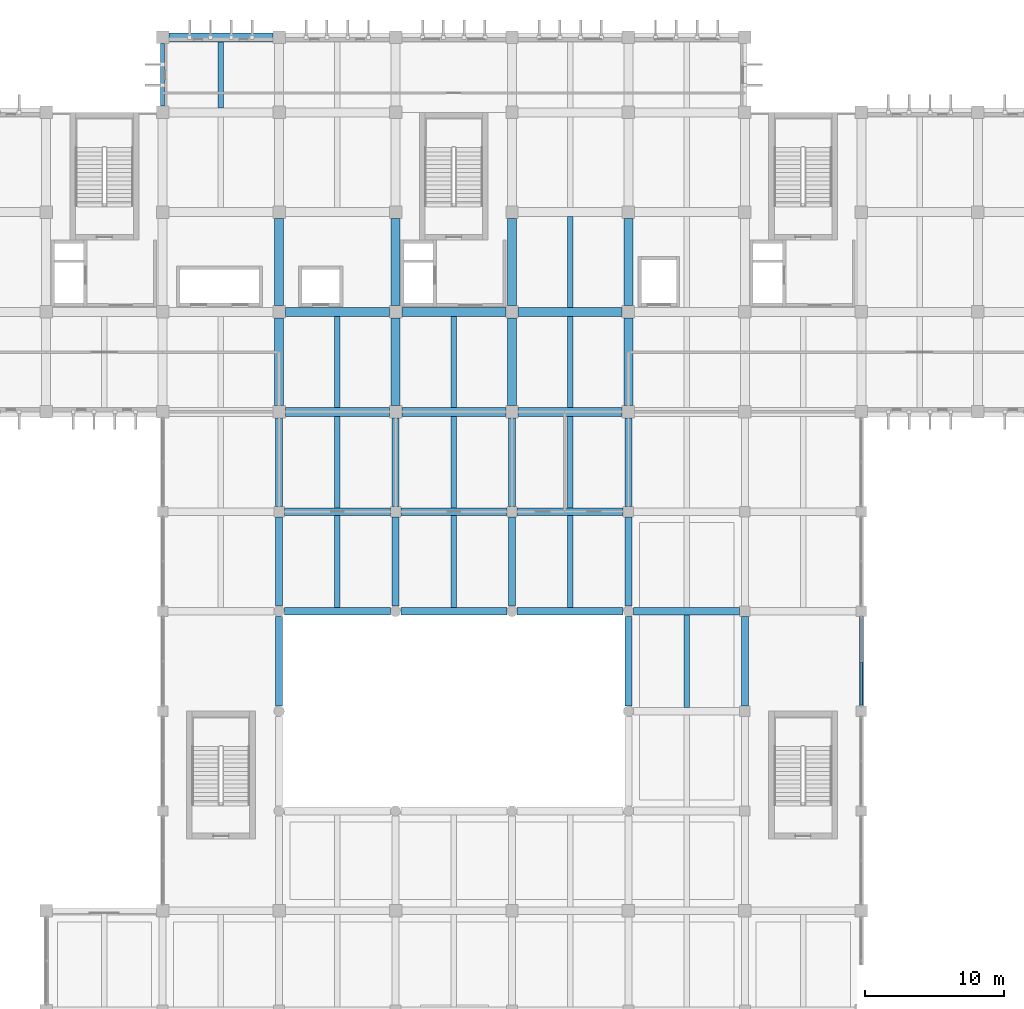
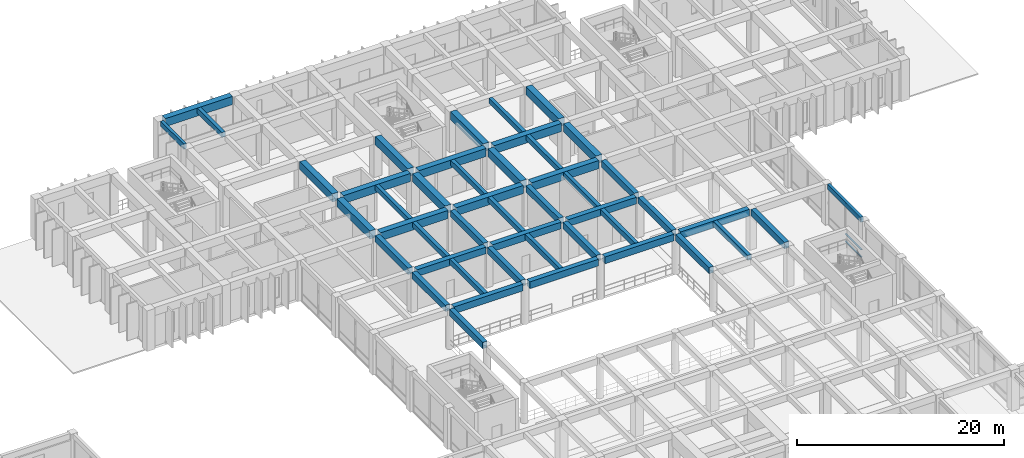
# One storey, part 22 of 52: 47 beams, 3 members, 1 element without a shape of its own.
"""IFC4 building model written with IfcOpenShell, lengths in metres."""

import ifcopenshell
import ifcopenshell.guid

model = None  # the IFC model being written
_history = None  # IfcOwnerHistory: only IFC2X3 demands one
_inside = {}  # id of a spatial element -> (the spatial element, [elements in it])
_under = {}  # id of a project, library or spatial element -> (it, [spatial elements below it])
_declared = {}  # id of a project -> (the project, [libraries it declares])
_typed = {}  # id of a type object -> (the type object, [elements of that type])
_made_of = {}  # id of a material, layer set ... -> (it, [elements and type objects made of it])


def new_model(schema):
    """Start an empty IFC model of exactly this schema.

    Asked for "IFC4X3", IfcOpenShell would pick the latest addendum, in which some entities
    have other attributes; the version numbers below select the first issue.
    IFC2X3 requires an IfcOwnerHistory on every rooted entity: one is made here for all.
    """
    global model, _history
    if schema == "IFC4X3":
        model = ifcopenshell.file(schema_version=(4, 3, 0, 0))
    else:
        model = ifcopenshell.file(schema=schema)
    _inside.clear()
    _under.clear()
    _declared.clear()
    _typed.clear()
    _made_of.clear()
    _history = None
    if model.schema == "IFC2X3":
        org = make("IfcOrganization", Name="unknown")
        user = make(
            "IfcPersonAndOrganization",
            ThePerson=make("IfcPerson", FamilyName="unknown"),
            TheOrganization=org,
        )
        app = make(
            "IfcApplication",
            ApplicationDeveloper=org,
            Version="unknown",
            ApplicationFullName="unknown",
            ApplicationIdentifier="unknown",
        )
        _history = make(
            "IfcOwnerHistory",
            OwningUser=user,
            OwningApplication=app,
            ChangeAction="ADDED",
            CreationDate=0,
        )
    return model


def make(cls, **values):
    """One entity of the class cls with the attributes given. An attribute that is None is left unset."""
    return model.create_entity(
        cls, **{name: value for name, value in values.items() if value is not None}
    )


def rooted(cls, **values):
    """An entity with a GlobalId (a new one), such as an element, a storey or a relation."""
    return make(cls, GlobalId=ifcopenshell.guid.new(), OwnerHistory=_history, **values)


def si_unit(unit_type, name, prefix=None):
    """IfcSIUnit, for example si_unit("LENGTHUNIT", "METRE", prefix="MILLI")."""
    return make("IfcSIUnit", UnitType=unit_type, Prefix=prefix, Name=name)


def assignment(units):
    """IfcUnitAssignment: the units of a project."""
    return None if units is None else make("IfcUnitAssignment", Units=units)


def point(xyz):
    """IfcCartesianPoint."""
    return None if xyz is None else make("IfcCartesianPoint", Coordinates=xyz)


def direction(xyz):
    """IfcDirection."""
    return None if xyz is None else make("IfcDirection", DirectionRatios=xyz)


def frame(location, z_axis=None, x_axis=None):
    """IfcAxis2Placement3D, a coordinate frame: its origin and axes. An axis left out is left unset."""
    return make(
        "IfcAxis2Placement3D",
        Location=point(location),
        Axis=direction(z_axis),
        RefDirection=direction(x_axis),
    )


def frame_2d(location, x_axis=None):
    """IfcAxis2Placement2D, a coordinate frame in the plane: its origin and x axis."""
    return make(
        "IfcAxis2Placement2D", Location=point(location), RefDirection=direction(x_axis)
    )


def origin():
    """The frame at (0, 0, 0) with its axes left unset."""
    return frame((0.0, 0.0, 0.0))


def origin_2d():
    """The frame at (0, 0) in the plane with its x axis left unset."""
    return frame_2d((0.0, 0.0))


def place(relative_to, where):
    """IfcLocalPlacement: puts the frame where relative to a parent placement (None: the world)."""
    return make(
        "IfcLocalPlacement", PlacementRelTo=relative_to, RelativePlacement=where
    )


def context(
    kind, dimensions, precision=None, world=None, true_north=None, identifier=None
):
    """IfcGeometricRepresentationContext, for example the 3D "Model" context."""
    return make(
        "IfcGeometricRepresentationContext",
        ContextIdentifier=identifier,
        ContextType=kind,
        CoordinateSpaceDimension=dimensions,
        Precision=precision,
        WorldCoordinateSystem=world,
        TrueNorth=true_north,
    )


def subcontext(parent, identifier, kind, view, scale=None):
    """IfcGeometricRepresentationSubContext, for example "Body" below "Model"."""
    return make(
        "IfcGeometricRepresentationSubContext",
        ContextIdentifier=identifier,
        ContextType=kind,
        ParentContext=parent,
        TargetScale=scale,
        TargetView=view,
    )


def project(units=None, contexts=None):
    """IfcProject with its units and contexts."""
    return rooted(
        "IfcProject",
        Name="project",
        RepresentationContexts=contexts,
        UnitsInContext=assignment(units),
    )


def spatial(cls, under=None, at=None, **own):
    """A site, building, storey or space (cls), placed at a placement, below another one or the project."""
    s = rooted(cls, ObjectPlacement=at, **own)
    if under is not None:
        _under.setdefault(under.id(), (under, []))[1].append(s)
    return s


def profile(cls, at=None, kind="AREA", **sizes):
    """A parametric profile (cls). Its sizes go by their IFC names, for example OverallWidth=200.0."""
    return make(cls, ProfileType=kind, Position=at, **sizes)


def rectangle(**sizes):
    """IfcRectangleProfileDef."""
    return profile("IfcRectangleProfileDef", **sizes)


def extrude(swept, where, along, depth):
    """IfcExtrudedAreaSolid: the profile swept, set in the frame where, extruded along a direction by depth."""
    return make(
        "IfcExtrudedAreaSolid",
        SweptArea=swept,
        Position=where,
        ExtrudedDirection=direction(along),
        Depth=depth,
    )


def shape(context_of_items, identifier, shape_type, items):
    """IfcShapeRepresentation: the items that make up one representation, for example the "Body"."""
    return make(
        "IfcShapeRepresentation",
        ContextOfItems=context_of_items,
        RepresentationIdentifier=identifier,
        RepresentationType=shape_type,
        Items=items,
    )


def material(Name=None, Category=None):
    """IfcMaterial."""
    return make("IfcMaterial", Name=Name, Category=Category)


def material_profile(
    of_material, cross_section, Name=None, Category=None, Priority=None
):
    """IfcMaterialProfile: a cross section and its material."""
    return make(
        "IfcMaterialProfile",
        Name=Name,
        Material=of_material,
        Profile=cross_section,
        Priority=Priority,
        Category=Category,
    )


def profile_set(profiles, Name=None, composite=None):
    """IfcMaterialProfileSet."""
    return make(
        "IfcMaterialProfileSet",
        Name=Name,
        MaterialProfiles=profiles,
        CompositeProfile=composite,
    )


def made_of(thing, what):
    """Note that an element or type object is made of a material, layer set ...; save() writes the relation."""
    if what is not None:
        _made_of.setdefault(what.id(), (what, []))[1].append(thing)
    return thing


def type_object(cls, material=None, **own):
    """A type object (cls), such as IfcWallType, which elements share."""
    return made_of(rooted(cls, **own), material)


def element(
    cls,
    number,
    at=None,
    inside=None,
    cuts=None,
    type_object=None,
    material=None,
    context=None,
    identifier="Body",
    shape_type=None,
    held_by="IfcProductDefinitionShape",
    body=None,
    shapes=None,
    **own,
):
    """One element of the class cls, such as IfcWall. Its Tag is "e" and its number.

    at: its placement. inside: the storey or other place that contains it. cuts: it is an
    opening in that element (IfcRelVoidsElement). A single representation is given by context,
    identifier, shape_type and body (its items); several are given by shapes. held_by: the class
    of the entity that holds the representations. save() writes the other relations.
    """
    e = rooted(cls, Tag="e%d" % number, ObjectPlacement=at, **own)
    if body is not None:
        shapes = [shape(context, identifier, shape_type, body)]
    if shapes is not None:
        e.Representation = make(held_by, Representations=shapes)
    if inside is not None:
        _inside.setdefault(inside.id(), (inside, []))[1].append(e)
    if cuts is not None:
        rooted(
            "IfcRelVoidsElement", RelatingBuildingElement=cuts, RelatedOpeningElement=e
        )
    if type_object is not None:
        _typed.setdefault(type_object.id(), (type_object, []))[1].append(e)
    return made_of(e, material)


def aggregate(whole, parts):
    """IfcRelAggregates: a whole, such as a stair, and the parts it consists of."""
    return rooted("IfcRelAggregates", RelatingObject=whole, RelatedObjects=parts)


def save(model, path):
    """Write the relations noted so far, then the file.

    IfcRelAggregates (storeys below a building ...), IfcRelContainedInSpatialStructure (elements
    in a storey), IfcRelDefinesByType, IfcRelAssociatesMaterial and IfcRelDeclares: one each for
    every whole, place, type object, material and project.
    """
    for whole, parts in _under.values():
        aggregate(whole, parts)
    for where, things in _inside.values():
        rooted(
            "IfcRelContainedInSpatialStructure",
            RelatedElements=things,
            RelatingStructure=where,
        )
    for kind, things in _typed.values():
        rooted("IfcRelDefinesByType", RelatedObjects=things, RelatingType=kind)
    for what, things in _made_of.values():
        rooted("IfcRelAssociatesMaterial", RelatedObjects=things, RelatingMaterial=what)
    for by, libraries in _declared.values():
        rooted("IfcRelDeclares", RelatingContext=by, RelatedDefinitions=libraries)
    model.write(path)


model = new_model("IFC4")

# Units and contexts
model_context = context("Model", 3, precision=1e-05, world=origin(), true_north=direction((0.0, 1.0)))
body_context = subcontext(model_context, "Body", "Model", "MODEL_VIEW")
ifc_project = project(units=[si_unit("LENGTHUNIT", "METRE"), si_unit("AREAUNIT", "SQUARE_METRE"), si_unit("VOLUMEUNIT", "CUBIC_METRE"), si_unit("PLANEANGLEUNIT", "RADIAN"), si_unit("MASSUNIT", "GRAM", prefix="KILO")], contexts=[model_context])

# Site, building, storey
site_placement = place(None, origin())
site = spatial("IfcSite", under=ifc_project, at=site_placement, CompositionType="ELEMENT")
building_placement = place(site_placement, origin())
building = spatial("IfcBuilding", under=site, at=building_placement, Name="Kenerak Square Central Library", CompositionType="ELEMENT")
storey_placement = place(building_placement, frame((0.0, 0.0, 4.800048828125)))
storey = spatial("IfcBuildingStorey", under=building, at=storey_placement, Name="L01", CompositionType="ELEMENT", Elevation=4.800048828125)

# Beams
ifc_material_1 = material(Name="Concrete C45/55", Category="concrete")
ifc_material_profile_1 = material_profile(ifc_material_1, rectangle(XDim=0.64990234375, YDim=0.949951171875, at=origin_2d()), Name="RC 650x950")
ifc_profile_set_1 = profile_set([ifc_material_profile_1], Name="Concrete C45/55")
beam_type_1 = type_object("IfcBeamType", Name="Book Stack Girder B-02 RC 650x950 C45/55", PredefinedType="BEAM", material=ifc_profile_set_1)
for number, where, z_axis, x_axis, name in (
    (1, (75.64990234375, 88.800048828125, 4.324951171875), (1.0, 0.0, 0.0), (0.0, 1.0, 0.0), "Beam B-02 L01 0946"),
    (2, (84.050048828125, 88.800048828125, 4.324951171875), (1.0, 0.0, 0.0), (0.0, 1.0, 0.0), "Beam B-02 L01 0947"),
    (3, (92.449951171875, 88.800048828125, 4.324951171875), (1.0, 0.0, 0.0), (0.0, 1.0, 0.0), "Beam B-02 L01 0948"),
    (4, (75.64990234375, 96.0, 4.324951171875), (1.0, 0.0, 0.0), (0.0, 1.0, 0.0), "Beam B-02 L01 0956"),
    (5, (84.050048828125, 96.0, 4.324951171875), (1.0, 0.0, 0.0), (0.0, 1.0, 0.0), "Beam B-02 L01 0957"),
    (6, (92.449951171875, 96.0, 4.324951171875), (1.0, 0.0, 0.0), (0.0, 1.0, 0.0), "Beam B-02 L01 0958"),
    (7, (67.25, 115.800048828125, 4.324951171875), (1.0, 0.0, 0.0), (0.0, 1.0, 0.0), "Beam B-02 L01 0977"),
):
    element("IfcBeam", number, at=place(storey_placement, frame(where, z_axis=z_axis, x_axis=x_axis)), inside=storey, type_object=beam_type_1, Name=name, PredefinedType="BEAM", context=body_context, shape_type="SweptSolid", body=[
        extrude(rectangle(XDim=0.64990234375, YDim=0.949951171875, at=origin_2d()), origin(), (0.0, 0.0, 1.0), 7.5),
    ])
for number, where, z_axis, x_axis, name in (
    (8, (75.199951171875, 89.25, 4.324951171875), (0.0, 1.0, 0.0), (-1.0, 0.0, 0.0), "Beam B-02 L01 1028"),
    (9, (75.199951171875, 96.449951171875, 4.324951171875), (0.0, 1.0, 0.0), (-1.0, 0.0, 0.0), "Beam B-02 L01 1029"),
    (10, (83.60009765625, 89.25, 4.324951171875), (0.0, 1.0, 0.0), (-1.0, 0.0, 0.0), "Beam B-02 L01 1037"),
    (11, (83.60009765625, 96.449951171875, 4.324951171875), (0.0, 1.0, 0.0), (-1.0, 0.0, 0.0), "Beam B-02 L01 1038"),
    (12, (92.0, 89.25, 4.324951171875), (0.0, 1.0, 0.0), (-1.0, 0.0, 0.0), "Beam B-02 L01 1046"),
    (13, (92.0, 96.449951171875, 4.324951171875), (0.0, 1.0, 0.0), (-1.0, 0.0, 0.0), "Beam B-02 L01 1047"),
    (14, (100.39990234375, 89.25, 4.324951171875), (0.0, 1.0, 0.0), (-1.0, 0.0, 0.0), "Beam B-02 L01 1057"),
    (15, (100.39990234375, 96.449951171875, 4.324951171875), (0.0, 1.0, 0.0), (-1.0, 0.0, 0.0), "Beam B-02 L01 1058"),
):
    element("IfcBeam", number, at=place(storey_placement, frame(where, z_axis=z_axis, x_axis=x_axis)), inside=storey, type_object=beam_type_1, Name=name, PredefinedType="BEAM", context=body_context, shape_type="SweptSolid", body=[
        extrude(rectangle(XDim=0.64990234375, YDim=0.949951171875, at=origin_2d()), origin(), (0.0, 0.0, 1.0), 6.300048828125),
    ])
ifc_material_2 = material(Name="Concrete C40/50", Category="concrete")
ifc_material_profile_2 = material_profile(ifc_material_2, rectangle(XDim=0.300048828125, YDim=0.60009765625, at=origin_2d()), Name="RC 300x600")
ifc_profile_set_2 = profile_set([ifc_material_profile_2], Name="Concrete C40/50")
beam_type_2 = type_object("IfcBeamType", Name="Courtyard Spandrel Beam SP-02 RC 300x600 C40/50", PredefinedType="SPANDREL", material=ifc_profile_set_2)
beam_1_placement = place(storey_placement, frame((66.800048828125, 110.85009765625, 4.5), z_axis=(0.0, 1.0, 0.0), x_axis=(-1.0, 0.0, 0.0)))
element("IfcBeam", 16, at=beam_1_placement, inside=storey, type_object=beam_type_2, Name="Beam SP-02 L01 1020", PredefinedType="SPANDREL", context=body_context, shape_type="SweptSolid", body=[
    extrude(rectangle(XDim=0.300048828125, YDim=0.60009765625, at=origin_2d()), origin(), (0.0, 0.0, 1.0), 4.5),
])
beam_2_placement = place(storey_placement, frame((117.199951171875, 67.574951171875, 4.5), z_axis=(0.0, 1.0, 0.0), x_axis=(-1.0, 0.0, 0.0)))
element("IfcBeam", 17, at=beam_2_placement, inside=storey, type_object=beam_type_2, Name="Beam SP-02 L01 1076", PredefinedType="SPANDREL", context=body_context, shape_type="SweptSolid", body=[
    extrude(rectangle(XDim=0.300048828125, YDim=0.60009765625, at=origin_2d()), origin(), (0.0, 0.0, 1.0), 6.449951171875),
])

# Curtain wall, members
ifc_material_3 = material(Name="Anodised aluminium and solar-control low-E glazing", Category="aluminium")
curtain_wall_type = type_object("IfcCurtainWallType", Name="Curtain Wall CW-V4-64x45 6450x4500", PredefinedType="USERDEFINED", material=ifc_material_3)
curtain_wall_placement = place(storey_placement, origin())
curtain_wall = element("IfcCurtainWall", 18, at=curtain_wall_placement, inside=storey, type_object=curtain_wall_type, Name="Curtain Wall CW-V4-64x45 L01 0030", ObjectType="CURTAIN WALL", PredefinedType="USERDEFINED")
ifc_material_4 = material(Name="Anodised aluminium 6063-T6", Category="aluminium")
ifc_material_profile_3 = material_profile(ifc_material_4, rectangle(XDim=0.159912109375, YDim=0.06494140625, at=origin_2d()), Name="AL TRANSOM 160x65")
ifc_profile_set_3 = profile_set([ifc_material_profile_3], Name="Anodised aluminium 6063-T6")
member_type = type_object("IfcMemberType", Name="Curtain Transom CT-11 160x65", PredefinedType="USERDEFINED", material=ifc_profile_set_3)
member_1_placement = place(storey_placement, frame((117.199951171875, 70.767578125, 0.032470703125), z_axis=(0.0, -1.0, 0.0), x_axis=(1.0, 0.0, 0.0)))
member_1 = element("IfcMember", 19, at=member_1_placement, type_object=member_type, Name="CW-V4-64x45 Transom 2.1", ObjectType="TRANSOM", PredefinedType="USERDEFINED", context=body_context, shape_type="SweptSolid", body=[
    extrude(rectangle(XDim=0.159912109375, YDim=0.06494140625, at=origin_2d()), origin(), (0.0, 0.0, 1.0), 3.127685546875),
])
member_2_placement = place(storey_placement, frame((117.199951171875, 70.767578125, 0.89990234375), z_axis=(0.0, -1.0, 0.0), x_axis=(1.0, 0.0, 0.0)))
member_2 = element("IfcMember", 20, at=member_2_placement, type_object=member_type, Name="CW-V4-64x45 Transom 2.2", ObjectType="TRANSOM", PredefinedType="USERDEFINED", context=body_context, shape_type="SweptSolid", body=[
    extrude(rectangle(XDim=0.159912109375, YDim=0.06494140625, at=origin_2d()), origin(), (0.0, 0.0, 1.0), 3.127685546875),
])
member_3_placement = place(storey_placement, frame((117.199951171875, 70.767578125, 4.467529296875), z_axis=(0.0, -1.0, 0.0), x_axis=(1.0, 0.0, 0.0)))
member_3 = element("IfcMember", 21, at=member_3_placement, type_object=member_type, Name="CW-V4-64x45 Transom 2.3", ObjectType="TRANSOM", PredefinedType="USERDEFINED", context=body_context, shape_type="SweptSolid", body=[
    extrude(rectangle(XDim=0.159912109375, YDim=0.06494140625, at=origin_2d()), origin(), (0.0, 0.0, 1.0), 3.127685546875),
])
aggregate(curtain_wall, [member_1, member_2, member_3])

# Beams
ifc_material_profile_4 = material_profile(ifc_material_2, rectangle(XDim=0.550048828125, YDim=0.800048828125, at=origin_2d()), Name="RC 550x800")
ifc_profile_set_4 = profile_set([ifc_material_profile_4], Name="Concrete C40/50")
beam_type_3 = type_object("IfcBeamType", Name="Primary Reading Beam B-04 RC 550x800 C40/50", PredefinedType="BEAM", material=ifc_profile_set_4)
beam_3_placement = place(storey_placement, frame((75.574951171875, 74.39990234375, 4.39990234375), z_axis=(1.0, 0.0, 0.0), x_axis=(0.0, 1.0, 0.0)))
element("IfcBeam", 22, at=beam_3_placement, inside=storey, type_object=beam_type_3, Name="Beam B-04 L01 0932", PredefinedType="BEAM", context=body_context, shape_type="SweptSolid", body=[
    extrude(rectangle(XDim=0.550048828125, YDim=0.800048828125, at=origin_2d()), origin(), (0.0, 0.0, 1.0), 7.650146484375),
])
for number, where, z_axis, x_axis, name in (
    (23, (83.97509765625, 74.39990234375, 4.39990234375), (1.0, 0.0, 0.0), (0.0, 1.0, 0.0), "Beam B-04 L01 0933"),
    (24, (92.375, 74.39990234375, 4.39990234375), (1.0, 0.0, 0.0), (0.0, 1.0, 0.0), "Beam B-04 L01 0934"),
):
    element("IfcBeam", number, at=place(storey_placement, frame(where, z_axis=z_axis, x_axis=x_axis)), inside=storey, type_object=beam_type_3, Name=name, PredefinedType="BEAM", context=body_context, shape_type="SweptSolid", body=[
        extrude(rectangle(XDim=0.550048828125, YDim=0.800048828125, at=origin_2d()), origin(), (0.0, 0.0, 1.0), 7.64990234375),
    ])
for number, where, z_axis, x_axis, name in (
    (25, (100.77490234375, 74.39990234375, 4.39990234375), (1.0, 0.0, 0.0), (0.0, 1.0, 0.0), "Beam B-04 L01 0935"),
    (26, (75.574951171875, 81.60009765625, 4.39990234375), (1.0, 0.0, 0.0), (0.0, 1.0, 0.0), "Beam B-04 L01 0938"),
):
    element("IfcBeam", number, at=place(storey_placement, frame(where, z_axis=z_axis, x_axis=x_axis)), inside=storey, type_object=beam_type_3, Name=name, PredefinedType="BEAM", context=body_context, shape_type="SweptSolid", body=[
        extrude(rectangle(XDim=0.550048828125, YDim=0.800048828125, at=origin_2d()), origin(), (0.0, 0.0, 1.0), 7.650146484375),
    ])
for number, where, z_axis, x_axis, name in (
    (27, (83.97509765625, 81.60009765625, 4.39990234375), (1.0, 0.0, 0.0), (0.0, 1.0, 0.0), "Beam B-04 L01 0939"),
    (28, (92.375, 81.60009765625, 4.39990234375), (1.0, 0.0, 0.0), (0.0, 1.0, 0.0), "Beam B-04 L01 0940"),
):
    element("IfcBeam", number, at=place(storey_placement, frame(where, z_axis=z_axis, x_axis=x_axis)), inside=storey, type_object=beam_type_3, Name=name, PredefinedType="BEAM", context=body_context, shape_type="SweptSolid", body=[
        extrude(rectangle(XDim=0.550048828125, YDim=0.800048828125, at=origin_2d()), origin(), (0.0, 0.0, 1.0), 7.64990234375),
    ])
ifc_material_profile_5 = material_profile(ifc_material_2, rectangle(XDim=0.39990234375, YDim=0.60009765625, at=origin_2d()), Name="RC 400x600")
ifc_profile_set_5 = profile_set([ifc_material_profile_5], Name="Concrete C40/50")
beam_type_4 = type_object("IfcBeamType", Name="Secondary Floor Joist J-01 RC 400x600 C40/50", PredefinedType="JOIST", material=ifc_profile_set_5)
beam_4_placement = place(storey_placement, frame((71.0, 110.72509765625, 4.5), z_axis=(0.0, 1.0, 0.0), x_axis=(-1.0, 0.0, 0.0)))
element("IfcBeam", 29, at=beam_4_placement, inside=storey, type_object=beam_type_4, Name="Joist J-01 L01 1121", PredefinedType="JOIST", context=body_context, shape_type="SweptSolid", body=[
    extrude(rectangle(XDim=0.39990234375, YDim=0.60009765625, at=origin_2d()), origin(), (0.0, 0.0, 1.0), 4.75),
])
beam_5_placement = place(storey_placement, frame((79.39990234375, 74.675048828125, 4.5), z_axis=(0.0, 1.0, 0.0), x_axis=(-1.0, 0.0, 0.0)))
element("IfcBeam", 30, at=beam_5_placement, inside=storey, type_object=beam_type_4, Name="Joist J-01 L01 1128", PredefinedType="JOIST", context=body_context, shape_type="SweptSolid", body=[
    extrude(rectangle(XDim=0.39990234375, YDim=0.60009765625, at=origin_2d()), origin(), (0.0, 0.0, 1.0), 6.64990234375),
])
beam_6_placement = place(storey_placement, frame((79.39990234375, 81.875, 4.5), z_axis=(0.0, 1.0, 0.0), x_axis=(-1.0, 0.0, 0.0)))
element("IfcBeam", 31, at=beam_6_placement, inside=storey, type_object=beam_type_4, Name="Joist J-01 L01 1129", PredefinedType="JOIST", context=body_context, shape_type="SweptSolid", body=[
    extrude(rectangle(XDim=0.39990234375, YDim=0.60009765625, at=origin_2d()), origin(), (0.0, 0.0, 1.0), 6.60009765625),
])
beam_7_placement = place(storey_placement, frame((79.39990234375, 89.125, 4.5), z_axis=(0.0, 1.0, 0.0), x_axis=(-1.0, 0.0, 0.0)))
element("IfcBeam", 32, at=beam_7_placement, inside=storey, type_object=beam_type_4, Name="Joist J-01 L01 1130", PredefinedType="JOIST", context=body_context, shape_type="SweptSolid", body=[
    extrude(rectangle(XDim=0.39990234375, YDim=0.60009765625, at=origin_2d()), origin(), (0.0, 0.0, 1.0), 6.550048828125),
])
beam_8_placement = place(storey_placement, frame((87.800048828125, 74.675048828125, 4.5), z_axis=(0.0, 1.0, 0.0), x_axis=(-1.0, 0.0, 0.0)))
element("IfcBeam", 33, at=beam_8_placement, inside=storey, type_object=beam_type_4, Name="Joist J-01 L01 1139", PredefinedType="JOIST", context=body_context, shape_type="SweptSolid", body=[
    extrude(rectangle(XDim=0.39990234375, YDim=0.60009765625, at=origin_2d()), origin(), (0.0, 0.0, 1.0), 6.64990234375),
])
beam_9_placement = place(storey_placement, frame((87.800048828125, 81.875, 4.5), z_axis=(0.0, 1.0, 0.0), x_axis=(-1.0, 0.0, 0.0)))
element("IfcBeam", 34, at=beam_9_placement, inside=storey, type_object=beam_type_4, Name="Joist J-01 L01 1140", PredefinedType="JOIST", context=body_context, shape_type="SweptSolid", body=[
    extrude(rectangle(XDim=0.39990234375, YDim=0.60009765625, at=origin_2d()), origin(), (0.0, 0.0, 1.0), 6.60009765625),
])
beam_10_placement = place(storey_placement, frame((87.800048828125, 89.125, 4.5), z_axis=(0.0, 1.0, 0.0), x_axis=(-1.0, 0.0, 0.0)))
element("IfcBeam", 35, at=beam_10_placement, inside=storey, type_object=beam_type_4, Name="Joist J-01 L01 1141", PredefinedType="JOIST", context=body_context, shape_type="SweptSolid", body=[
    extrude(rectangle(XDim=0.39990234375, YDim=0.60009765625, at=origin_2d()), origin(), (0.0, 0.0, 1.0), 6.550048828125),
])
beam_11_placement = place(storey_placement, frame((96.199951171875, 74.675048828125, 4.5), z_axis=(0.0, 1.0, 0.0), x_axis=(-1.0, 0.0, 0.0)))
element("IfcBeam", 36, at=beam_11_placement, inside=storey, type_object=beam_type_4, Name="Joist J-01 L01 1148", PredefinedType="JOIST", context=body_context, shape_type="SweptSolid", body=[
    extrude(rectangle(XDim=0.39990234375, YDim=0.60009765625, at=origin_2d()), origin(), (0.0, 0.0, 1.0), 6.64990234375),
])
beam_12_placement = place(storey_placement, frame((96.199951171875, 81.875, 4.5), z_axis=(0.0, 1.0, 0.0), x_axis=(-1.0, 0.0, 0.0)))
element("IfcBeam", 37, at=beam_12_placement, inside=storey, type_object=beam_type_4, Name="Joist J-01 L01 1149", PredefinedType="JOIST", context=body_context, shape_type="SweptSolid", body=[
    extrude(rectangle(XDim=0.39990234375, YDim=0.60009765625, at=origin_2d()), origin(), (0.0, 0.0, 1.0), 6.60009765625),
])
for number, where, z_axis, x_axis, name in (
    (38, (96.199951171875, 89.125, 4.5), (0.0, 1.0, 0.0), (-1.0, 0.0, 0.0), "Joist J-01 L01 1150"),
    (39, (96.199951171875, 96.324951171875, 4.5), (0.0, 1.0, 0.0), (-1.0, 0.0, 0.0), "Joist J-01 L01 1151"),
):
    element("IfcBeam", number, at=place(storey_placement, frame(where, z_axis=z_axis, x_axis=x_axis)), inside=storey, type_object=beam_type_4, Name=name, PredefinedType="JOIST", context=body_context, shape_type="SweptSolid", body=[
        extrude(rectangle(XDim=0.39990234375, YDim=0.60009765625, at=origin_2d()), origin(), (0.0, 0.0, 1.0), 6.550048828125),
    ])
beam_13_placement = place(storey_placement, frame((104.60009765625, 67.47509765625, 4.5), z_axis=(0.0, 1.0, 0.0), x_axis=(-1.0, 0.0, 0.0)))
element("IfcBeam", 40, at=beam_13_placement, inside=storey, type_object=beam_type_4, Name="Joist J-01 L01 1161", PredefinedType="JOIST", context=body_context, shape_type="SweptSolid", body=[
    extrude(rectangle(XDim=0.39990234375, YDim=0.60009765625, at=origin_2d()), origin(), (0.0, 0.0, 1.0), 6.64990234375),
])
ifc_material_profile_6 = material_profile(ifc_material_2, rectangle(XDim=0.5, YDim=0.75, at=origin_2d()), Name="RC 500x750")
ifc_profile_set_6 = profile_set([ifc_material_profile_6], Name="Concrete C40/50")
beam_type_5 = type_object("IfcBeamType", Name="Transverse Frame Beam B-05 RC 500x750 C40/50", PredefinedType="BEAM", material=ifc_profile_set_6)
beam_14_placement = place(storey_placement, frame((75.199951171875, 67.574951171875, 4.425048828125), z_axis=(0.0, 1.0, 0.0), x_axis=(-1.0, 0.0, 0.0)))
element("IfcBeam", 41, at=beam_14_placement, inside=storey, type_object=beam_type_5, Name="Beam B-05 L01 1025", PredefinedType="BEAM", context=body_context, shape_type="SweptSolid", body=[
    extrude(rectangle(XDim=0.5, YDim=0.75, at=origin_2d()), origin(), (0.0, 0.0, 1.0), 6.449951171875),
])
beam_15_placement = place(storey_placement, frame((75.199951171875, 74.77490234375, 4.425048828125), z_axis=(0.0, 1.0, 0.0), x_axis=(-1.0, 0.0, 0.0)))
element("IfcBeam", 42, at=beam_15_placement, inside=storey, type_object=beam_type_5, Name="Beam B-05 L01 1026", PredefinedType="BEAM", context=body_context, shape_type="SweptSolid", body=[
    extrude(rectangle(XDim=0.5, YDim=0.75, at=origin_2d()), origin(), (0.0, 0.0, 1.0), 6.4501953125),
])
beam_16_placement = place(storey_placement, frame((75.199951171875, 81.97509765625, 4.425048828125), z_axis=(0.0, 1.0, 0.0), x_axis=(-1.0, 0.0, 0.0)))
element("IfcBeam", 43, at=beam_16_placement, inside=storey, type_object=beam_type_5, Name="Beam B-05 L01 1027", PredefinedType="BEAM", context=body_context, shape_type="SweptSolid", body=[
    extrude(rectangle(XDim=0.5, YDim=0.75, at=origin_2d()), origin(), (0.0, 0.0, 1.0), 6.375),
])
beam_17_placement = place(storey_placement, frame((83.60009765625, 74.77490234375, 4.425048828125), z_axis=(0.0, 1.0, 0.0), x_axis=(-1.0, 0.0, 0.0)))
element("IfcBeam", 44, at=beam_17_placement, inside=storey, type_object=beam_type_5, Name="Beam B-05 L01 1035", PredefinedType="BEAM", context=body_context, shape_type="SweptSolid", body=[
    extrude(rectangle(XDim=0.5, YDim=0.75, at=origin_2d()), origin(), (0.0, 0.0, 1.0), 6.4501953125),
])
beam_18_placement = place(storey_placement, frame((83.60009765625, 81.97509765625, 4.425048828125), z_axis=(0.0, 1.0, 0.0), x_axis=(-1.0, 0.0, 0.0)))
element("IfcBeam", 45, at=beam_18_placement, inside=storey, type_object=beam_type_5, Name="Beam B-05 L01 1036", PredefinedType="BEAM", context=body_context, shape_type="SweptSolid", body=[
    extrude(rectangle(XDim=0.5, YDim=0.75, at=origin_2d()), origin(), (0.0, 0.0, 1.0), 6.375),
])
beam_19_placement = place(storey_placement, frame((92.0, 74.77490234375, 4.425048828125), z_axis=(0.0, 1.0, 0.0), x_axis=(-1.0, 0.0, 0.0)))
element("IfcBeam", 46, at=beam_19_placement, inside=storey, type_object=beam_type_5, Name="Beam B-05 L01 1044", PredefinedType="BEAM", context=body_context, shape_type="SweptSolid", body=[
    extrude(rectangle(XDim=0.5, YDim=0.75, at=origin_2d()), origin(), (0.0, 0.0, 1.0), 6.4501953125),
])
beam_20_placement = place(storey_placement, frame((92.0, 81.97509765625, 4.425048828125), z_axis=(0.0, 1.0, 0.0), x_axis=(-1.0, 0.0, 0.0)))
element("IfcBeam", 47, at=beam_20_placement, inside=storey, type_object=beam_type_5, Name="Beam B-05 L01 1045", PredefinedType="BEAM", context=body_context, shape_type="SweptSolid", body=[
    extrude(rectangle(XDim=0.5, YDim=0.75, at=origin_2d()), origin(), (0.0, 0.0, 1.0), 6.375),
])
beam_21_placement = place(storey_placement, frame((100.39990234375, 67.574951171875, 4.425048828125), z_axis=(0.0, 1.0, 0.0), x_axis=(-1.0, 0.0, 0.0)))
element("IfcBeam", 48, at=beam_21_placement, inside=storey, type_object=beam_type_5, Name="Beam B-05 L01 1054", PredefinedType="BEAM", context=body_context, shape_type="SweptSolid", body=[
    extrude(rectangle(XDim=0.5, YDim=0.75, at=origin_2d()), origin(), (0.0, 0.0, 1.0), 6.449951171875),
])
beam_22_placement = place(storey_placement, frame((100.39990234375, 74.77490234375, 4.425048828125), z_axis=(0.0, 1.0, 0.0), x_axis=(-1.0, 0.0, 0.0)))
element("IfcBeam", 49, at=beam_22_placement, inside=storey, type_object=beam_type_5, Name="Beam B-05 L01 1055", PredefinedType="BEAM", context=body_context, shape_type="SweptSolid", body=[
    extrude(rectangle(XDim=0.5, YDim=0.75, at=origin_2d()), origin(), (0.0, 0.0, 1.0), 6.4501953125),
])
beam_23_placement = place(storey_placement, frame((100.39990234375, 81.97509765625, 4.425048828125), z_axis=(0.0, 1.0, 0.0), x_axis=(-1.0, 0.0, 0.0)))
element("IfcBeam", 50, at=beam_23_placement, inside=storey, type_object=beam_type_5, Name="Beam B-05 L01 1056", PredefinedType="BEAM", context=body_context, shape_type="SweptSolid", body=[
    extrude(rectangle(XDim=0.5, YDim=0.75, at=origin_2d()), origin(), (0.0, 0.0, 1.0), 6.375),
])
beam_24_placement = place(storey_placement, frame((108.800048828125, 67.574951171875, 4.425048828125), z_axis=(0.0, 1.0, 0.0), x_axis=(-1.0, 0.0, 0.0)))
element("IfcBeam", 51, at=beam_24_placement, inside=storey, type_object=beam_type_5, Name="Beam B-05 L01 1065", PredefinedType="BEAM", context=body_context, shape_type="SweptSolid", body=[
    extrude(rectangle(XDim=0.5, YDim=0.75, at=origin_2d()), origin(), (0.0, 0.0, 1.0), 6.449951171875),
])

save(model, "model.ifc")
